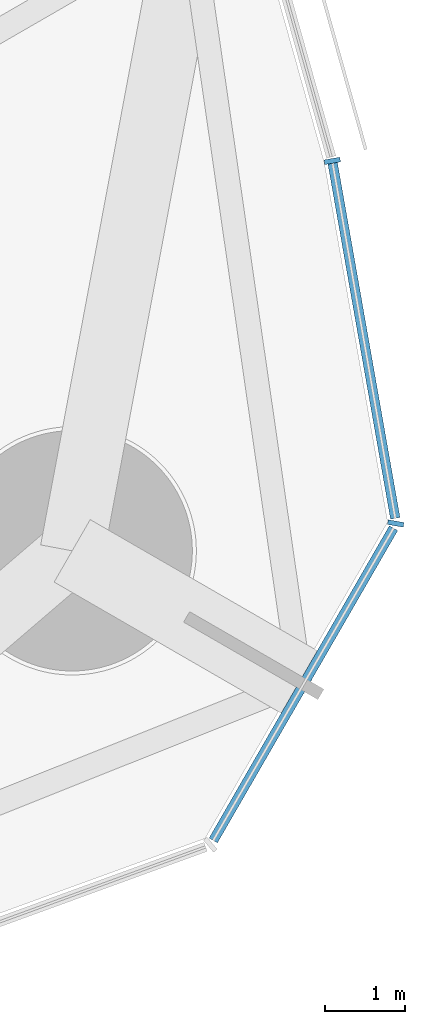
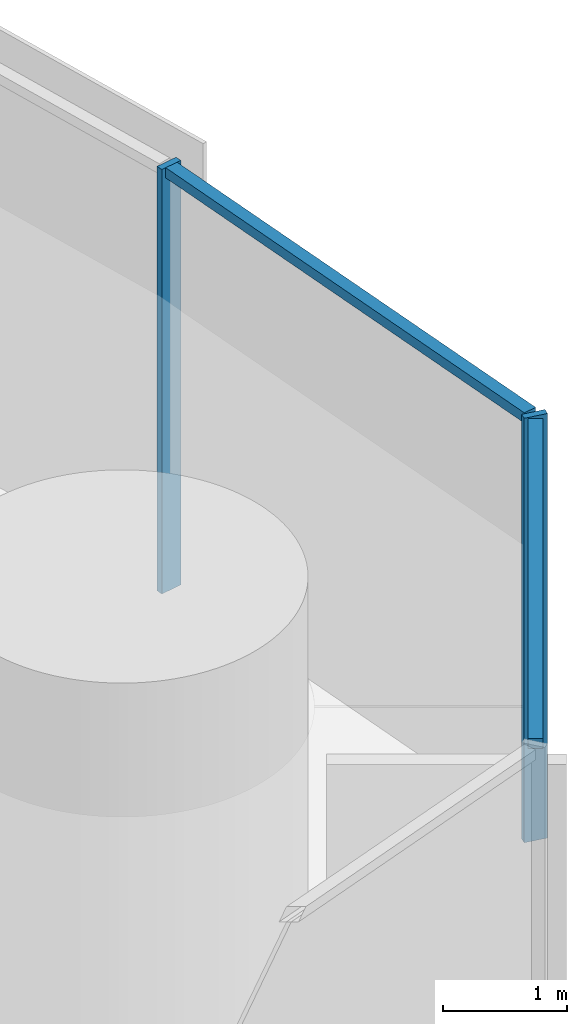
# One storey, part 9 of 18: 4 members, 1 element without a shape of its own.
"""IFC4 building model written with IfcOpenShell, lengths in metres."""

from ifc_helpers import new_model, si_unit, direction, frame, origin, origin_2d, place, context, subcontext, project, spatial, rectangle, extrude, material, material_profile, profile_set, type_object, element, aggregate, save


model = new_model("IFC4")

# Units and contexts
model_context = context("Model", 3, precision=1e-05, world=origin(), true_north=direction((0.0, 1.0)))
body_context = subcontext(model_context, "Body", "Model", "MODEL_VIEW")
ifc_project = project(units=[si_unit("LENGTHUNIT", "METRE"), si_unit("AREAUNIT", "SQUARE_METRE"), si_unit("VOLUMEUNIT", "CUBIC_METRE"), si_unit("PLANEANGLEUNIT", "RADIAN"), si_unit("MASSUNIT", "GRAM", prefix="KILO")], contexts=[model_context])

# Site, building, storey
site_placement = place(None, origin())
site = spatial("IfcSite", under=ifc_project, at=site_placement, CompositionType="ELEMENT")
building_placement = place(site_placement, origin())
building = spatial("IfcBuilding", under=site, at=building_placement, Name="Trefoil Bronze Tower", CompositionType="ELEMENT")
storey_placement = place(building_placement, frame((0.0, 0.0, 252.699951171875)))
storey = spatial("IfcBuildingStorey", under=building, at=storey_placement, Name="L58", CompositionType="ELEMENT", Elevation=252.699951171875)

# Curtain wall, members
ifc_material_1 = material(Name="Tinted solar-control glass", Category="glass")
curtain_wall_type = type_object("IfcCurtainWallType", Name="Bronze rounded corner curtain wall", PredefinedType="USERDEFINED", material=ifc_material_1)
curtain_wall_placement = place(storey_placement, origin())
curtain_wall = element("IfcCurtainWall", 1, at=curtain_wall_placement, inside=storey, type_object=curtain_wall_type, Name="CW-B L58 K1", ObjectType="CURTAIN WALL", PredefinedType="USERDEFINED")
ifc_material_2 = material(Name="Bronze-finish aluminium", Category="aluminium")
ifc_material_profile_1 = material_profile(ifc_material_2, rectangle(XDim=0.199951171875, YDim=0.06005859375, at=origin_2d()), Name="CW-B mullion")
ifc_profile_set_1 = profile_set([ifc_material_profile_1], Name="Bronze-finish aluminium")
member_type_1 = type_object("IfcMemberType", Name="Bronze rounded corner curtain wall mullion", PredefinedType="MULLION", material=ifc_profile_set_1)
member_1_placement = place(storey_placement, frame((32.616943359375, -16.158935546875, 0.0), z_axis=(0.0, 0.0, 1.0), x_axis=(-0.984807753012, 0.173648177667, 0.0)))
member_1 = element("IfcMember", 2, at=member_1_placement, type_object=member_type_1, Name="CW-B L58 K1 mullion 3", PredefinedType="MULLION", context=body_context, shape_type="SweptSolid", body=[
    extrude(rectangle(XDim=0.199951171875, YDim=0.06005859375, at=origin_2d()), origin(), (0.0, 0.0, 1.0), 4.179931640625),
])
member_2_placement = place(storey_placement, frame((31.824951171875, -11.63330078125, 0.0), z_axis=(0.0, 0.0, 1.0), x_axis=(-0.984807753012, -0.173648177667, 0.0)))
member_2 = element("IfcMember", 3, at=member_2_placement, type_object=member_type_1, Name="CW-B L58 K1 mullion 4", PredefinedType="MULLION", context=body_context, shape_type="SweptSolid", body=[
    extrude(rectangle(XDim=0.199951171875, YDim=0.06005859375, at=origin_2d()), origin(), (0.0, 0.0, 1.0), 4.179931640625),
])
ifc_material_3 = material(Name="Bronze-finish aluminium", Category="aluminium")
ifc_material_profile_2 = material_profile(ifc_material_3, rectangle(XDim=0.1201171875, YDim=0.10009765625, at=origin_2d()), Name="CW-B transom")
ifc_profile_set_2 = profile_set([ifc_material_profile_2], Name="Bronze-finish aluminium")
member_type_2 = type_object("IfcMemberType", Name="Bronze rounded corner curtain wall transom", PredefinedType="USERDEFINED", material=ifc_profile_set_2)
member_3_placement = place(storey_placement, frame((30.33984375, -20.114990234375, 4.130126953125), z_axis=(0.500007335828, 0.866021168401, 0.0), x_axis=(-0.866021168401, 0.500007335828, 0.0)))
member_3 = element("IfcMember", 4, at=member_3_placement, type_object=member_type_2, Name="CW-B L58 K1 transom 2", ObjectType="TRANSOM", PredefinedType="USERDEFINED", context=body_context, shape_type="SweptSolid", body=[
    extrude(rectangle(XDim=0.1201171875, YDim=0.10009765625, at=origin_2d()), origin(), (0.0, 0.0, 1.0), 4.50048828125),
])
member_4_placement = place(storey_placement, frame((32.611572265625, -16.0947265625, 4.130126953125), z_axis=(-0.173655350028, 0.984806488304, 0.0), x_axis=(-0.984806488304, -0.173655350028, 0.0)))
member_4 = element("IfcMember", 5, at=member_4_placement, type_object=member_type_2, Name="CW-B L58 K1 transom 3", ObjectType="TRANSOM", PredefinedType="USERDEFINED", context=body_context, shape_type="SweptSolid", body=[
    extrude(rectangle(XDim=0.1201171875, YDim=0.10009765625, at=origin_2d()), origin(), (0.0, 0.0, 1.0), 4.500244140625),
])
aggregate(curtain_wall, [member_1, member_2, member_3, member_4])

save(model, "model.ifc")
